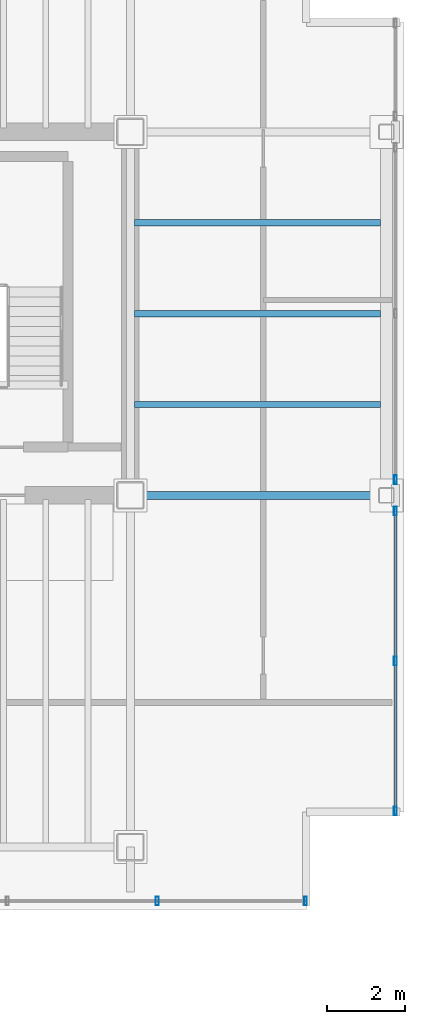
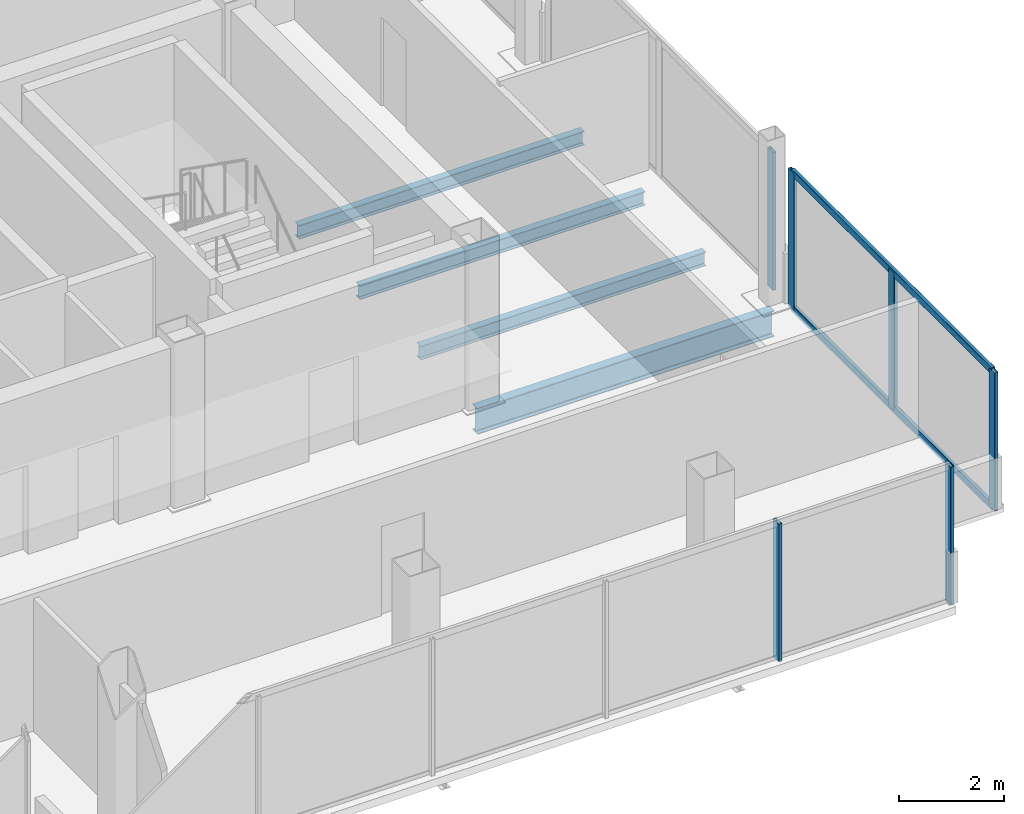
# One storey, part 12 of 17: 8 members, 4 beams, 3 elements without a shape of their own.
"""IFC4 building model written with IfcOpenShell, lengths in metres."""

from ifc_helpers import new_model, si_unit, direction, frame, origin, origin_2d, place, context, subcontext, project, spatial, hollow_rectangle, i_section, extrude, material, material_profile, profile_set, type_object, element, aggregate, save


model = new_model("IFC4")

# Units and contexts
model_context = context("Model", 3, precision=1e-05, world=origin(), true_north=direction((0.0, 1.0)))
body_context = subcontext(model_context, "Body", "Model", "MODEL_VIEW")
ifc_project = project(units=[si_unit("LENGTHUNIT", "METRE"), si_unit("AREAUNIT", "SQUARE_METRE"), si_unit("VOLUMEUNIT", "CUBIC_METRE"), si_unit("PLANEANGLEUNIT", "RADIAN"), si_unit("MASSUNIT", "GRAM", prefix="KILO")], contexts=[model_context])

# Site, building, storey
site_placement = place(None, origin())
site = spatial("IfcSite", under=ifc_project, at=site_placement, CompositionType="ELEMENT")
building_placement = place(site_placement, origin())
building = spatial("IfcBuilding", under=site, at=building_placement, Name="Noeulbin Bourse Tower", CompositionType="ELEMENT")
storey_placement = place(building_placement, frame((0.0, 0.0, 285.199951171875)))
storey = spatial("IfcBuildingStorey", under=building, at=storey_placement, Name="L71", CompositionType="ELEMENT", Elevation=285.199951171875)

# Beams
ifc_material_1 = material(Name="Steel S355", Category="steel")
ifc_material_profile_1 = material_profile(ifc_material_1, i_section(OverallWidth=0.199951171875, OverallDepth=0.60009765625, WebThickness=0.010986328125, FlangeThickness=0.01708984375, FilletRadius=0.02197265625, at=origin_2d()), Name="H-600x200x11x17", Category="LoadBearing")
ifc_profile_set_1 = profile_set([ifc_material_profile_1], Name="Steel S355")
beam_type_1 = type_object("IfcBeamType", Name="BM-GRD-600", PredefinedType="USERDEFINED", material=ifc_profile_set_1)
beam_placement = place(storey_placement, frame((44.0, 29.0, -0.47998046875), z_axis=(1.0, 0.0, 0.0), x_axis=(0.0, 1.0, 0.0)))
element("IfcBeam", 1, at=beam_placement, inside=storey, type_object=beam_type_1, Name="Tower Primary Girder EW L71-2.4", ObjectType="GIRDER", PredefinedType="USERDEFINED", context=body_context, shape_type="SweptSolid", body=[
    extrude(i_section(OverallWidth=0.199951171875, OverallDepth=0.60009765625, WebThickness=0.010986328125, FlangeThickness=0.01708984375, FilletRadius=0.02197265625, at=origin_2d()), origin(), (0.0, 0.0, 1.0), 6.550048828125),
])
ifc_material_profile_2 = material_profile(ifc_material_1, i_section(OverallWidth=0.159912109375, OverallDepth=0.320068359375, WebThickness=0.006591796875, FlangeThickness=0.010009765625, FilletRadius=0.012939453125, at=origin_2d()), Name="H-320x160x6.5x10", Category="LoadBearing")
ifc_profile_set_2 = profile_set([ifc_material_profile_2], Name="Steel S355")
beam_type_2 = type_object("IfcBeamType", Name="BM-JST-320", PredefinedType="JOIST", material=ifc_profile_set_2)
for number, where, z_axis, x_axis, name in (
    (2, (44.10009765625, 31.324951171875, -0.33984375), (1.0, 0.0, 0.0), (0.0, 1.0, 0.0), "Wing Composite Joist L71-E31"),
    (3, (44.10009765625, 33.64990234375, -0.33984375), (1.0, 0.0, 0.0), (0.0, 1.0, 0.0), "Wing Composite Joist L71-E32"),
    (4, (44.10009765625, 35.97509765625, -0.33984375), (1.0, 0.0, 0.0), (0.0, 1.0, 0.0), "Wing Composite Joist L71-E33"),
):
    element("IfcBeam", number, at=place(storey_placement, frame(where, z_axis=z_axis, x_axis=x_axis)), inside=storey, type_object=beam_type_2, Name=name, PredefinedType="JOIST", context=body_context, shape_type="SweptSolid", body=[
        extrude(i_section(OverallWidth=0.159912109375, OverallDepth=0.320068359375, WebThickness=0.006591796875, FlangeThickness=0.010009765625, FilletRadius=0.012939453125, at=origin_2d()), origin(), (0.0, 0.0, 1.0), 6.2998046875),
    ])

# Curtain wall, members
ifc_material_2 = material(Name="High-Selectivity Low-Iron Glazing", Category="glass")
curtain_wall_type = type_object("IfcCurtainWallType", Name="CW-SYS-4", PredefinedType="NOTDEFINED", material=ifc_material_2)
curtain_wall_1_placement = place(storey_placement, origin())
curtain_wall_1 = element("IfcCurtainWall", 5, at=curtain_wall_1_placement, inside=storey, type_object=curtain_wall_type, Name="Unitised Curtain Wall CW-L71-S3", PredefinedType="NOTDEFINED")
ifc_material_3 = material(Name="Anodised Aluminium 6063-T6", Category="aluminium")
ifc_material_profile_3 = material_profile(ifc_material_3, hollow_rectangle(XDim=0.074951171875, YDim=0.219970703125, WallThickness=0.0048828125, InnerFilletRadius=0.00244140625, OuterFilletRadius=0.0048828125, at=origin_2d()), Name="ALU-MULL-75x220x5", Category="LoadBearing")
ifc_profile_set_3 = profile_set([ifc_material_profile_3], Name="Anodised Aluminium 6063-T6")
member_type_1 = type_object("IfcMemberType", Name="CW-SYS-4-MUL", PredefinedType="MULLION", material=ifc_profile_set_3)
member_1_placement = place(storey_placement, frame((44.68603515625, 18.6201171875, -0.02001953125), z_axis=(0.0, 0.0, 1.0), x_axis=(1.0, 0.0, 0.0)))
member_1 = element("IfcMember", 6, at=member_1_placement, type_object=member_type_1, Name="Curtain Wall Mullion CW-L71-S3-M04", PredefinedType="MULLION", context=body_context, shape_type="SweptSolid", body=[
    extrude(hollow_rectangle(XDim=0.074951171875, YDim=0.219970703125, WallThickness=0.0048828125, InnerFilletRadius=0.00244140625, OuterFilletRadius=0.0048828125, at=origin_2d()), origin(), (0.0, 0.0, 1.0), 3.219970703125),
])
member_2_placement = place(storey_placement, frame((48.47998046875, 18.6201171875, -0.02001953125), z_axis=(0.0, 0.0, 1.0), x_axis=(1.0, 0.0, 0.0)))
member_2 = element("IfcMember", 7, at=member_2_placement, type_object=member_type_1, Name="Curtain Wall Mullion CW-L71-S3-M05", PredefinedType="MULLION", context=body_context, shape_type="SweptSolid", body=[
    extrude(hollow_rectangle(XDim=0.074951171875, YDim=0.219970703125, WallThickness=0.0048828125, InnerFilletRadius=0.00244140625, OuterFilletRadius=0.0048828125, at=origin_2d()), origin(), (0.0, 0.0, 1.0), 3.219970703125),
])
aggregate(curtain_wall_1, [member_1, member_2])

curtain_wall_2_placement = place(storey_placement, origin())
curtain_wall_2 = element("IfcCurtainWall", 8, at=curtain_wall_2_placement, inside=storey, type_object=curtain_wall_type, Name="Unitised Curtain Wall CW-L71-E-S1", PredefinedType="NOTDEFINED")
member_3_placement = place(storey_placement, frame((50.780029296875, 20.919921875, -0.02001953125), z_axis=(0.0, 0.0, 1.0), x_axis=(1.0, 0.0, 0.0)))
member_3 = element("IfcMember", 9, at=member_3_placement, type_object=member_type_1, Name="Curtain Wall Mullion CW-L71-E-S1-M00", PredefinedType="MULLION", context=body_context, shape_type="SweptSolid", body=[
    extrude(hollow_rectangle(XDim=0.074951171875, YDim=0.219970703125, WallThickness=0.0048828125, InnerFilletRadius=0.00244140625, OuterFilletRadius=0.0048828125, at=origin_2d()), origin(), (0.0, 0.0, 1.0), 3.219970703125),
])
member_4_placement = place(storey_placement, frame((50.780029296875, 24.760009765625, -0.02001953125), z_axis=(0.0, 0.0, 1.0), x_axis=(1.0, 0.0, 0.0)))
member_4 = element("IfcMember", 10, at=member_4_placement, type_object=member_type_1, Name="Curtain Wall Mullion CW-L71-E-S1-M01", PredefinedType="MULLION", context=body_context, shape_type="SweptSolid", body=[
    extrude(hollow_rectangle(XDim=0.074951171875, YDim=0.219970703125, WallThickness=0.0048828125, InnerFilletRadius=0.00244140625, OuterFilletRadius=0.0048828125, at=origin_2d()), origin(), (0.0, 0.0, 1.0), 3.219970703125),
])
member_5_placement = place(storey_placement, frame((50.780029296875, 28.60009765625, -0.02001953125), z_axis=(0.0, 0.0, 1.0), x_axis=(1.0, 0.0, 0.0)))
member_5 = element("IfcMember", 11, at=member_5_placement, type_object=member_type_1, Name="Curtain Wall Mullion CW-L71-E-S1-M02", PredefinedType="MULLION", context=body_context, shape_type="SweptSolid", body=[
    extrude(hollow_rectangle(XDim=0.074951171875, YDim=0.219970703125, WallThickness=0.0048828125, InnerFilletRadius=0.00244140625, OuterFilletRadius=0.0048828125, at=origin_2d()), origin(), (0.0, 0.0, 1.0), 3.219970703125),
])

# Curtain wall, member
curtain_wall_3_placement = place(storey_placement, origin())
curtain_wall_3 = element("IfcCurtainWall", 12, at=curtain_wall_3_placement, inside=storey, type_object=curtain_wall_type, Name="Unitised Curtain Wall CW-L71-E-S2", PredefinedType="NOTDEFINED")
member_6_placement = place(storey_placement, frame((50.780029296875, 29.39990234375, -0.02001953125), z_axis=(0.0, 0.0, 1.0), x_axis=(1.0, 0.0, 0.0)))
member_6 = element("IfcMember", 13, at=member_6_placement, type_object=member_type_1, Name="Curtain Wall Mullion CW-L71-E-S2-M00", PredefinedType="MULLION", context=body_context, shape_type="SweptSolid", body=[
    extrude(hollow_rectangle(XDim=0.074951171875, YDim=0.219970703125, WallThickness=0.0048828125, InnerFilletRadius=0.00244140625, OuterFilletRadius=0.0048828125, at=origin_2d()), origin(), (0.0, 0.0, 1.0), 3.219970703125),
])
aggregate(curtain_wall_3, [member_6])

# Member
ifc_material_profile_4 = material_profile(ifc_material_3, hollow_rectangle(XDim=0.074951171875, YDim=0.159912109375, WallThickness=0.0048828125, InnerFilletRadius=0.00244140625, OuterFilletRadius=0.0048828125, at=origin_2d()), Name="ALU-TRAN-75x160x5", Category="LoadBearing")
ifc_profile_set_4 = profile_set([ifc_material_profile_4], Name="Anodised Aluminium 6063-T6")
member_type_2 = type_object("IfcMemberType", Name="CW-SYS-4-TRN", PredefinedType="USERDEFINED", material=ifc_profile_set_4)
member_7_placement = place(storey_placement, frame((50.780029296875, 20.929931640625, 0.010009765625), z_axis=(0.0, 1.0, 0.0), x_axis=(-1.0, 0.0, 0.0)))
member_7 = element("IfcMember", 14, at=member_7_placement, type_object=member_type_2, Name="Curtain Wall Transom CW-L71-E-S1-T00", ObjectType="TRANSOM", PredefinedType="USERDEFINED", context=body_context, shape_type="SweptSolid", body=[
    extrude(hollow_rectangle(XDim=0.074951171875, YDim=0.159912109375, WallThickness=0.0048828125, InnerFilletRadius=0.00244140625, OuterFilletRadius=0.0048828125, at=origin_2d()), origin(), (0.0, 0.0, 1.0), 7.66015625),
])

member_8_placement = place(storey_placement, frame((50.780029296875, 20.929931640625, 3.170166015625), z_axis=(0.0, 1.0, 0.0), x_axis=(-1.0, 0.0, 0.0)))
member_8 = element("IfcMember", 15, at=member_8_placement, type_object=member_type_2, Name="Curtain Wall Transom CW-L71-E-S1-T01", ObjectType="TRANSOM", PredefinedType="USERDEFINED", context=body_context, shape_type="SweptSolid", body=[
    extrude(hollow_rectangle(XDim=0.074951171875, YDim=0.159912109375, WallThickness=0.0048828125, InnerFilletRadius=0.00244140625, OuterFilletRadius=0.0048828125, at=origin_2d()), origin(), (0.0, 0.0, 1.0), 7.66015625),
])

aggregate(curtain_wall_2, [member_3, member_4, member_5, member_7, member_8])

save(model, "model.ifc")
